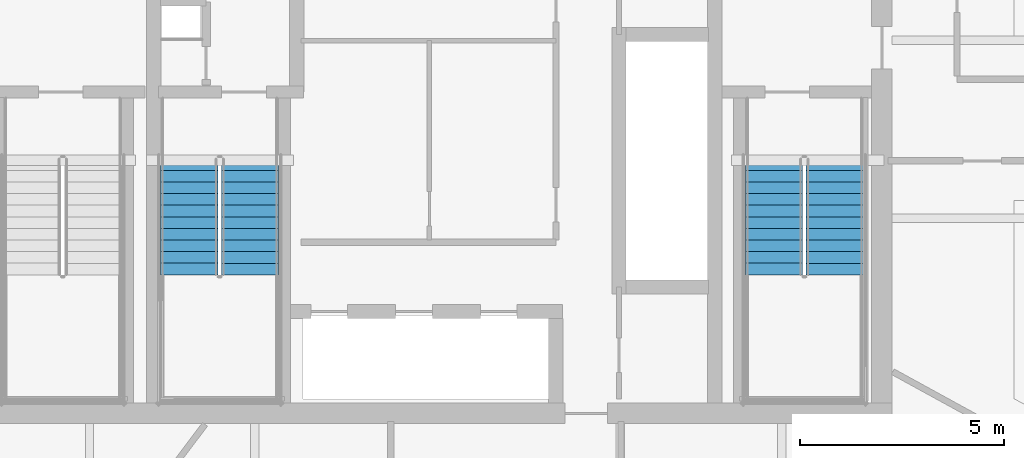
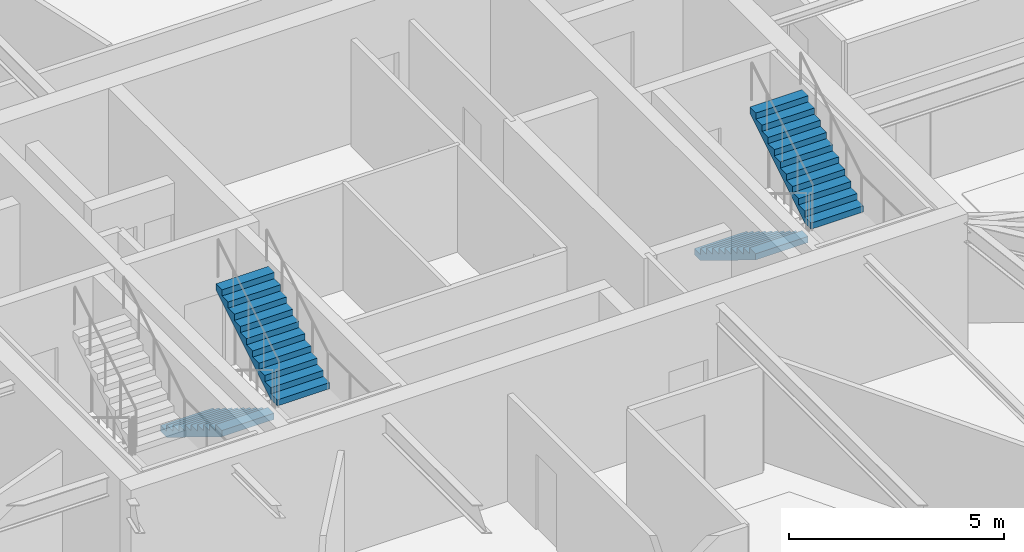
# One storey, part 20 of 23: 4 stair flights, 2 elements without a shape of their own.
"""IFC4 building model written with IfcOpenShell, lengths in metres."""

from ifc_helpers import new_model, si_unit, direction, frame, origin, place, context, subcontext, project, spatial, polyline, outline, extrude, material, type_object, element, aggregate, save


model = new_model("IFC4")

# Units and contexts
model_context = context("Model", 3, precision=1e-05, world=origin(), true_north=direction((0.0, 1.0)))
body_context = subcontext(model_context, "Body", "Model", "MODEL_VIEW")
ifc_project = project(units=[si_unit("LENGTHUNIT", "METRE"), si_unit("AREAUNIT", "SQUARE_METRE"), si_unit("VOLUMEUNIT", "CUBIC_METRE"), si_unit("PLANEANGLEUNIT", "RADIAN"), si_unit("MASSUNIT", "GRAM", prefix="KILO")], contexts=[model_context])

# Site, building, storey
site_placement = place(None, origin())
site = spatial("IfcSite", under=ifc_project, at=site_placement, CompositionType="ELEMENT")
building_placement = place(site_placement, origin())
building = spatial("IfcBuilding", under=site, at=building_placement, Name="Bramvorn Convention Spire", CompositionType="ELEMENT")
storey_placement = place(building_placement, frame((0.0, 0.0, 194.300048828125)))
storey = spatial("IfcBuildingStorey", under=building, at=storey_placement, Name="L49", CompositionType="ELEMENT", Elevation=194.300048828125)

# Stair, stair flights
ifc_material_1 = material(Name="Concrete C40/50 Precast Stair", Category="concrete")
stair_type = type_object("IfcStairType", Name="ST-TOWER-1550", PredefinedType="HALF_TURN_STAIR", material=ifc_material_1)
stair_1_placement = place(storey_placement, origin())
stair_1 = element("IfcStair", 1, at=stair_1_placement, inside=storey, type_object=stair_type, Name="L49 Protected Exit Stair ST2", PredefinedType="HALF_TURN_STAIR")
ifc_material_2 = material(Name="Concrete C40/50 Precast Stair Flight", Category="concrete")
stair_flight_type = type_object("IfcStairFlightType", Name="STF-TOWER-1550", PredefinedType="STRAIGHT", material=ifc_material_2)
stair_flight_1_placement = place(storey_placement, frame((46.35498046875, 25.050048828125, 0.0), z_axis=(0.0, 0.0, 1.0), x_axis=(0.0, -1.0, 0.0)))
stair_flight_1 = element("IfcStairFlight", 2, at=stair_flight_1_placement, type_object=stair_flight_type, Name="ST2 flight 1", NumberOfRisers=11, NumberOfTreads=10, PredefinedType="STRAIGHT", RiserHeight=0.175, TreadLength=0.285, context=body_context, shape_type="SweptSolid", body=[
    extrude(outline(polyline([(0.0, 0.0), (0.0, 0.175048828125), (0.284912109375, 0.175048828125), (0.284912109375, 0.35009765625), (0.570068359375, 0.35009765625), (0.570068359375, 0.52490234375), (0.85498046875, 0.52490234375), (0.85498046875, 0.699951171875), (1.139892578125, 0.699951171875), (1.139892578125, 0.875), (1.425048828125, 0.875), (1.425048828125, 1.050048828125), (1.7099609375, 1.050048828125), (1.7099609375, 1.22509765625), (1.9951171875, 1.22509765625), (1.9951171875, 1.39990234375), (2.280029296875, 1.39990234375), (2.280029296875, 1.574951171875), (2.56494140625, 1.574951171875), (2.56494140625, 1.75), (2.85009765625, 1.75), (2.85009765625, 1.925048828125), (2.85009765625, 1.573974609375), (0.286376953125, 0.0), (0.0, 0.0)])), frame((0.0, 0.705078125, 0.0), z_axis=(0.0, -1.0, 0.0), x_axis=(1.0, 0.0, 0.0)), (0.0, 0.0, 1.0), 1.409912109375),
])
stair_flight_2_placement = place(storey_placement, frame((47.844970703125, 22.199951171875, 1.925048828125), z_axis=(0.0, 0.0, 1.0), x_axis=(0.0, 1.0, 0.0)))
stair_flight_2 = element("IfcStairFlight", 3, at=stair_flight_2_placement, type_object=stair_flight_type, Name="ST2 flight 2", NumberOfRisers=11, NumberOfTreads=10, PredefinedType="STRAIGHT", RiserHeight=0.175, TreadLength=0.285, context=body_context, shape_type="SweptSolid", body=[
    extrude(outline(polyline([(0.0, 0.0), (0.0, 0.175048828125), (0.284912109375, 0.175048828125), (0.284912109375, 0.35009765625), (0.570068359375, 0.35009765625), (0.570068359375, 0.52490234375), (0.85498046875, 0.52490234375), (0.85498046875, 0.699951171875), (1.139892578125, 0.699951171875), (1.139892578125, 0.875), (1.425048828125, 0.875), (1.425048828125, 1.050048828125), (1.7099609375, 1.050048828125), (1.7099609375, 1.22509765625), (1.9951171875, 1.22509765625), (1.9951171875, 1.39990234375), (2.280029296875, 1.39990234375), (2.280029296875, 1.574951171875), (2.56494140625, 1.574951171875), (2.56494140625, 1.75), (2.85009765625, 1.75), (2.85009765625, 1.925048828125), (2.85009765625, 1.573974609375), (0.286376953125, 0.0), (0.0, 0.0)])), frame((0.0, 0.705078125, 0.0), z_axis=(0.0, -1.0, 0.0), x_axis=(1.0, 0.0, 0.0)), (0.0, 0.0, 1.0), 1.409912109375),
])
aggregate(stair_1, [stair_flight_1, stair_flight_2])

stair_2_placement = place(storey_placement, origin())
stair_2 = element("IfcStair", 4, at=stair_2_placement, inside=storey, type_object=stair_type, Name="L49 Protected Exit Stair ST3", PredefinedType="HALF_TURN_STAIR")
stair_flight_3_placement = place(storey_placement, frame((32.0048828125, 25.050048828125, 0.0), z_axis=(0.0, 0.0, 1.0), x_axis=(0.0, -1.0, 0.0)))
stair_flight_3 = element("IfcStairFlight", 5, at=stair_flight_3_placement, type_object=stair_flight_type, Name="ST3 flight 1", NumberOfRisers=11, NumberOfTreads=10, PredefinedType="STRAIGHT", RiserHeight=0.175, TreadLength=0.285, context=body_context, shape_type="SweptSolid", body=[
    extrude(outline(polyline([(0.0, 0.0), (0.0, 0.175048828125), (0.284912109375, 0.175048828125), (0.284912109375, 0.35009765625), (0.570068359375, 0.35009765625), (0.570068359375, 0.52490234375), (0.85498046875, 0.52490234375), (0.85498046875, 0.699951171875), (1.139892578125, 0.699951171875), (1.139892578125, 0.875), (1.425048828125, 0.875), (1.425048828125, 1.050048828125), (1.7099609375, 1.050048828125), (1.7099609375, 1.22509765625), (1.9951171875, 1.22509765625), (1.9951171875, 1.39990234375), (2.280029296875, 1.39990234375), (2.280029296875, 1.574951171875), (2.56494140625, 1.574951171875), (2.56494140625, 1.75), (2.85009765625, 1.75), (2.85009765625, 1.925048828125), (2.85009765625, 1.573974609375), (0.286376953125, 0.0), (0.0, 0.0)])), frame((0.0, 0.705078125, 0.0), z_axis=(0.0, -1.0, 0.0), x_axis=(1.0, 0.0, 0.0)), (0.0, 0.0, 1.0), 1.409912109375),
])
stair_flight_4_placement = place(storey_placement, frame((33.4951171875, 22.199951171875, 1.925048828125), z_axis=(0.0, 0.0, 1.0), x_axis=(0.0, 1.0, 0.0)))
stair_flight_4 = element("IfcStairFlight", 6, at=stair_flight_4_placement, type_object=stair_flight_type, Name="ST3 flight 2", NumberOfRisers=11, NumberOfTreads=10, PredefinedType="STRAIGHT", RiserHeight=0.175, TreadLength=0.285, context=body_context, shape_type="SweptSolid", body=[
    extrude(outline(polyline([(0.0, 0.0), (0.0, 0.175048828125), (0.284912109375, 0.175048828125), (0.284912109375, 0.35009765625), (0.570068359375, 0.35009765625), (0.570068359375, 0.52490234375), (0.85498046875, 0.52490234375), (0.85498046875, 0.699951171875), (1.139892578125, 0.699951171875), (1.139892578125, 0.875), (1.425048828125, 0.875), (1.425048828125, 1.050048828125), (1.7099609375, 1.050048828125), (1.7099609375, 1.22509765625), (1.9951171875, 1.22509765625), (1.9951171875, 1.39990234375), (2.280029296875, 1.39990234375), (2.280029296875, 1.574951171875), (2.56494140625, 1.574951171875), (2.56494140625, 1.75), (2.85009765625, 1.75), (2.85009765625, 1.925048828125), (2.85009765625, 1.573974609375), (0.286376953125, 0.0), (0.0, 0.0)])), frame((0.0, 0.705078125, 0.0), z_axis=(0.0, -1.0, 0.0), x_axis=(1.0, 0.0, 0.0)), (0.0, 0.0, 1.0), 1.409912109375),
])
aggregate(stair_2, [stair_flight_3, stair_flight_4])

save(model, "model.ifc")
